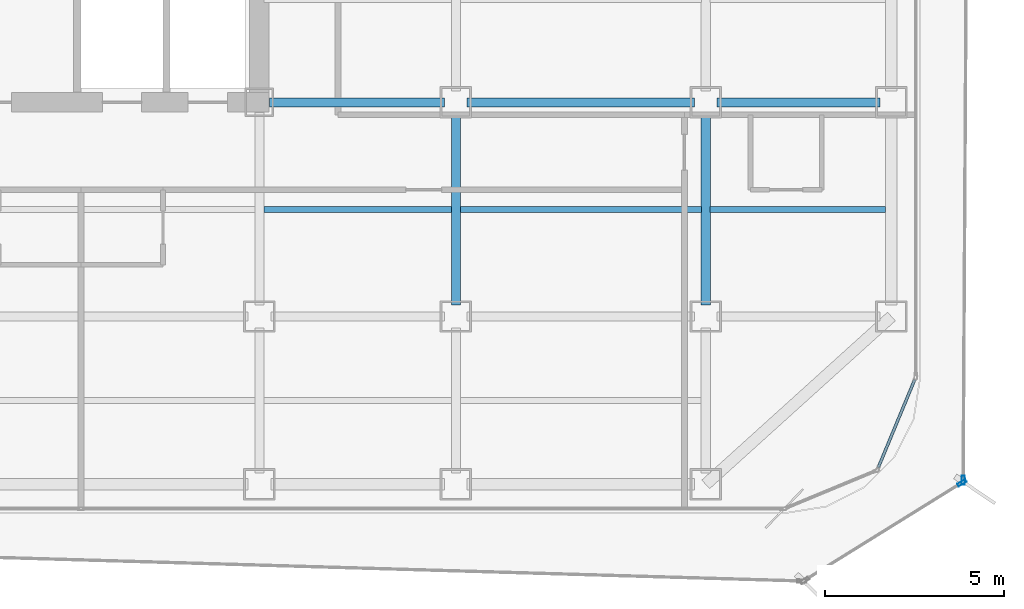
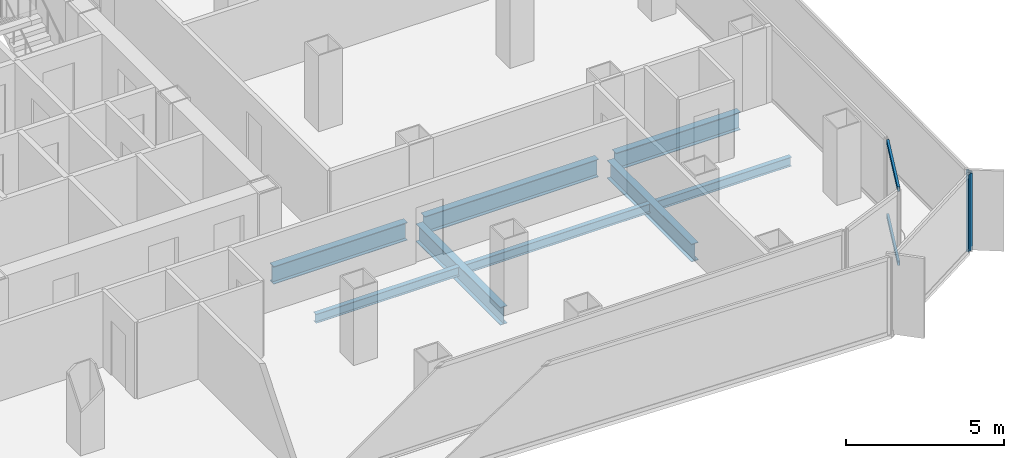
# One storey, part 7 of 21: 8 beams, 4 members, 3 elements without a shape of their own.
"""IFC4 building model written with IfcOpenShell, lengths in metres."""

from ifc_helpers import new_model, si_unit, direction, frame, origin, origin_2d, place, context, subcontext, project, spatial, hollow_rectangle, i_section, extrude, source, transform, mapped, material, layer, layer_set, material_profile, profile_set, type_object, element, aggregate, save


model = new_model("IFC4")

# Units and contexts
model_context = context("Model", 3, precision=1e-05, world=origin(), true_north=direction((0.0, 1.0)))
body_context = subcontext(model_context, "Body", "Model", "MODEL_VIEW")
ifc_project = project(units=[si_unit("LENGTHUNIT", "METRE"), si_unit("AREAUNIT", "SQUARE_METRE"), si_unit("VOLUMEUNIT", "CUBIC_METRE"), si_unit("PLANEANGLEUNIT", "RADIAN"), si_unit("MASSUNIT", "GRAM", prefix="KILO")], contexts=[model_context])

# Site, building, storey
site_placement = place(None, origin())
site = spatial("IfcSite", under=ifc_project, at=site_placement, CompositionType="ELEMENT")
building_placement = place(site_placement, origin())
building = spatial("IfcBuilding", under=site, at=building_placement, Name="Kolveth Station Tower", CompositionType="ELEMENT")
storey_placement = place(building_placement, frame((0.0, 0.0, 131.10009765625)))
storey = spatial("IfcBuildingStorey", under=building, at=storey_placement, Name="L36", CompositionType="ELEMENT", Elevation=131.10009765625)

# Beams
ifc_material_1 = material(Name="Steel S355", Category="steel")
ifc_material_profile_1 = material_profile(ifc_material_1, i_section(OverallWidth=0.25390625, OverallDepth=0.68798828125, WebThickness=0.01318359375, FlangeThickness=0.02099609375, at=origin_2d()), Name="W690x152")
ifc_profile_set_1 = profile_set([ifc_material_profile_1], Name="Steel S355")
beam_type_1 = type_object("IfcBeamType", Name="Beam_B4", PredefinedType="BEAM", material=ifc_profile_set_1)
shared_shape_1 = source(origin(), body_context, "Body", "SweptSolid", [
    extrude(i_section(OverallWidth=0.25390625, OverallDepth=0.68798828125, WebThickness=0.01318359375, FlangeThickness=0.02099609375, at=origin_2d()), origin(), (0.0, 0.0, 1.0), 4.559814453125),
])
beam_1_placement = place(storey_placement, frame((41.320068359375, 11.5, -0.593994140625), z_axis=(1.0, 0.0, 0.0), x_axis=(0.0, 1.0, 0.0)))
element("IfcBeam", 1, at=beam_1_placement, inside=storey, type_object=beam_type_1, Name="L36 Primary Girder BM-L36-GY115-7", PredefinedType="BEAM", context=body_context, shape_type="MappedRepresentation", body=[
    mapped(shared_shape_1, transform((0.0, 0.0, 0.0), x_axis=(1.0, 0.0, 0.0), y_axis=(0.0, 1.0, 0.0), z_axis=(0.0, 0.0, 1.0), scale=1.0)),
])
shared_shape_2 = source(origin(), body_context, "Body", "SweptSolid", [
    extrude(i_section(OverallWidth=0.25390625, OverallDepth=0.68798828125, WebThickness=0.01318359375, FlangeThickness=0.02099609375, at=origin_2d()), origin(), (0.0, 0.0, 1.0), 6.35986328125),
])
beam_2_placement = place(storey_placement, frame((34.320068359375, 11.5, -0.593994140625), z_axis=(1.0, 0.0, 0.0), x_axis=(0.0, 1.0, 0.0)))
element("IfcBeam", 2, at=beam_2_placement, inside=storey, type_object=beam_type_1, Name="L36 Primary Girder BM-L36-GY115-6", PredefinedType="BEAM", context=body_context, shape_type="MappedRepresentation", body=[
    mapped(shared_shape_2, transform((0.0, 0.0, 0.0), x_axis=(1.0, 0.0, 0.0), y_axis=(0.0, 1.0, 0.0), z_axis=(0.0, 0.0, 1.0), scale=1.0)),
])
shared_shape_3 = source(origin(), body_context, "Body", "SweptSolid", [
    extrude(i_section(OverallWidth=0.25390625, OverallDepth=0.68798828125, WebThickness=0.01318359375, FlangeThickness=0.02099609375, at=origin_2d()), origin(), (0.0, 0.0, 1.0), 4.89990234375),
])
beam_3_placement = place(storey_placement, frame((28.780029296875, 11.5, -0.593994140625), z_axis=(1.0, 0.0, 0.0), x_axis=(0.0, 1.0, 0.0)))
element("IfcBeam", 3, at=beam_3_placement, inside=storey, type_object=beam_type_1, Name="L36 Primary Girder BM-L36-GY115-5", PredefinedType="BEAM", context=body_context, shape_type="MappedRepresentation", body=[
    mapped(shared_shape_3, transform((0.0, 0.0, 0.0), x_axis=(1.0, 0.0, 0.0), y_axis=(0.0, 1.0, 0.0), z_axis=(0.0, 0.0, 1.0), scale=1.0)),
])
shared_shape_4 = source(origin(), body_context, "Body", "SweptSolid", [
    extrude(i_section(OverallWidth=0.25390625, OverallDepth=0.68798828125, WebThickness=0.01318359375, FlangeThickness=0.02099609375, at=origin_2d()), origin(), (0.0, 0.0, 1.0), 5.35986328125),
])
for number, where, z_axis, x_axis, name in (
    (4, (34.0, 5.820068359375, -0.593994140625), (0.0, 1.0, 0.0), (-1.0, 0.0, 0.0), "L36 Primary Girder BM-L36-GX340-2"),
    (5, (41.0, 5.820068359375, -0.593994140625), (0.0, 1.0, 0.0), (-1.0, 0.0, 0.0), "L36 Primary Girder BM-L36-GX410-2"),
):
    element("IfcBeam", number, at=place(storey_placement, frame(where, z_axis=z_axis, x_axis=x_axis)), inside=storey, type_object=beam_type_1, Name=name, PredefinedType="BEAM", context=body_context, shape_type="MappedRepresentation", body=[
        mapped(shared_shape_4, transform((0.0, 0.0, 0.0), x_axis=(1.0, 0.0, 0.0), y_axis=(0.0, 1.0, 0.0), z_axis=(0.0, 0.0, 1.0), scale=1.0)),
    ])
ifc_material_profile_2 = material_profile(ifc_material_1, i_section(OverallWidth=0.1708984375, OverallDepth=0.35205078125, WebThickness=0.0068359375, FlangeThickness=0.009765625, at=origin_2d()), Name="W360x44")
ifc_profile_set_2 = profile_set([ifc_material_profile_2], Name="Steel S355")
beam_type_2 = type_object("IfcBeamType", Name="Beam_J2", PredefinedType="JOIST", material=ifc_profile_set_2)
shared_shape_5 = source(origin(), body_context, "Body", "SweptSolid", [
    extrude(i_section(OverallWidth=0.1708984375, OverallDepth=0.35205078125, WebThickness=0.0068359375, FlangeThickness=0.009765625, at=origin_2d()), origin(), (0.0, 0.0, 1.0), 4.9150390625),
])
beam_4_placement = place(storey_placement, frame((41.125, 8.5, -0.426025390625), z_axis=(1.0, 0.0, 0.0), x_axis=(0.0, 1.0, 0.0)))
element("IfcBeam", 6, at=beam_4_placement, inside=storey, type_object=beam_type_2, Name="L36 Secondary Joist JST-L36-7-2", PredefinedType="JOIST", context=body_context, shape_type="MappedRepresentation", body=[
    mapped(shared_shape_5, transform((0.0, 0.0, 0.0), x_axis=(1.0, 0.0, 0.0), y_axis=(0.0, 1.0, 0.0), z_axis=(0.0, 0.0, 1.0), scale=1.0)),
])
shared_shape_6 = source(origin(), body_context, "Body", "SweptSolid", [
    extrude(i_section(OverallWidth=0.1708984375, OverallDepth=0.35205078125, WebThickness=0.0068359375, FlangeThickness=0.009765625, at=origin_2d()), origin(), (0.0, 0.0, 1.0), 6.75),
])
beam_5_placement = place(storey_placement, frame((34.125, 8.5, -0.426025390625), z_axis=(1.0, 0.0, 0.0), x_axis=(0.0, 1.0, 0.0)))
element("IfcBeam", 7, at=beam_5_placement, inside=storey, type_object=beam_type_2, Name="L36 Secondary Joist JST-L36-6-2", PredefinedType="JOIST", context=body_context, shape_type="MappedRepresentation", body=[
    mapped(shared_shape_6, transform((0.0, 0.0, 0.0), x_axis=(1.0, 0.0, 0.0), y_axis=(0.0, 1.0, 0.0), z_axis=(0.0, 0.0, 1.0), scale=1.0)),
])
shared_shape_7 = source(origin(), body_context, "Body", "SweptSolid", [
    extrude(i_section(OverallWidth=0.1708984375, OverallDepth=0.35205078125, WebThickness=0.0068359375, FlangeThickness=0.009765625, at=origin_2d()), origin(), (0.0, 0.0, 1.0), 5.25),
])
beam_6_placement = place(storey_placement, frame((28.625, 8.5, -0.426025390625), z_axis=(1.0, 0.0, 0.0), x_axis=(0.0, 1.0, 0.0)))
element("IfcBeam", 8, at=beam_6_placement, inside=storey, type_object=beam_type_2, Name="L36 Secondary Joist JST-L36-5-2", PredefinedType="JOIST", context=body_context, shape_type="MappedRepresentation", body=[
    mapped(shared_shape_7, transform((0.0, 0.0, 0.0), x_axis=(1.0, 0.0, 0.0), y_axis=(0.0, 1.0, 0.0), z_axis=(0.0, 0.0, 1.0), scale=1.0)),
])

# Curtain wall, members
ifc_material_2 = material(Name="Aluminium 6063-T6 and low-E dark glass", Category="aluminium")
ifc_layer_1 = layer(ifc_material_2, 0.18994140625)
ifc_layer_set_1 = layer_set([ifc_layer_1], Name="Aluminium 6063-T6 and low-E dark glass")
curtain_wall_type_1 = type_object("IfcCurtainWallType", Name="CurtainWall_CW-Z2", PredefinedType="NOTDEFINED", material=ifc_layer_set_1)
curtain_wall_1_placement = place(storey_placement, origin())
curtain_wall_1 = element("IfcCurtainWall", 9, at=curtain_wall_1_placement, inside=storey, type_object=curtain_wall_type_1, Name="L36 Inner Thermal Curtain Wall 2", PredefinedType="NOTDEFINED")
ifc_material_3 = material(Name="Black anodized aluminium 6063-T6", Category="aluminium")
ifc_material_profile_3 = material_profile(ifc_material_3, hollow_rectangle(XDim=0.080078125, YDim=0.169921875, WallThickness=0.0048828125, at=origin_2d()), Name="ALU-80x170x5")
ifc_profile_set_3 = profile_set([ifc_material_profile_3], Name="Black anodized aluminium 6063-T6")
member_type_1 = type_object("IfcMemberType", Name="Transom_TR2", PredefinedType="USERDEFINED", material=ifc_profile_set_3)
shared_shape_8 = source(origin(), body_context, "Body", "SweptSolid", [
    extrude(hollow_rectangle(XDim=0.080078125, YDim=0.169921875, WallThickness=0.0048828125, at=origin_2d()), origin(), (0.0, 0.0, 1.0), 2.656494140625),
])
member_1_placement = place(storey_placement, frame((45.832763671875, 1.271728515625, 0.039794921875), z_axis=(0.382676455475, 0.923882422403, 0.0), x_axis=(-0.923882422403, 0.382676455475, 0.0)))
member_1 = element("IfcMember", 10, at=member_1_placement, type_object=member_type_1, Name="CW-Z2 transom 1.1", ObjectType="TRANSOM", PredefinedType="USERDEFINED", context=body_context, shape_type="MappedRepresentation", body=[
    mapped(shared_shape_8, transform((0.0, 0.0, 0.0), x_axis=(1.0, 0.0, 0.0), y_axis=(0.0, 1.0, 0.0), z_axis=(0.0, 0.0, 1.0), scale=1.0)),
])
member_2_placement = place(storey_placement, frame((45.832763671875, 1.271728515625, 2.909912109375), z_axis=(0.382676455475, 0.923882422403, 0.0), x_axis=(-0.923882422403, 0.382676455475, 0.0)))
member_2 = element("IfcMember", 11, at=member_2_placement, type_object=member_type_1, Name="CW-Z2 transom 1.2", ObjectType="TRANSOM", PredefinedType="USERDEFINED", context=body_context, shape_type="MappedRepresentation", body=[
    mapped(shared_shape_8, transform((0.0, 0.0, 0.0), x_axis=(1.0, 0.0, 0.0), y_axis=(0.0, 1.0, 0.0), z_axis=(0.0, 0.0, 1.0), scale=1.0)),
])
aggregate(curtain_wall_1, [member_1, member_2])

# Curtain wall, member
ifc_material_4 = material(Name="Black anodized aluminium 6063-T6 and dark solar glass", Category="aluminium")
ifc_layer_2 = layer(ifc_material_4, 0.159912109375)
ifc_layer_set_2 = layer_set([ifc_layer_2], Name="Black anodized aluminium 6063-T6 and dark solar glass")
curtain_wall_type_2 = type_object("IfcCurtainWallType", Name="OUTER SKIN CW-OS", PredefinedType="NOTDEFINED", material=ifc_layer_set_2)
curtain_wall_2_placement = place(storey_placement, origin())
curtain_wall_2 = element("IfcCurtainWall", 12, at=curtain_wall_2_placement, inside=storey, type_object=curtain_wall_type_2, Name="L36 Outer Ventilated Skin Curtain Wall 1", PredefinedType="NOTDEFINED")
ifc_material_profile_4 = material_profile(ifc_material_3, hollow_rectangle(XDim=0.090087890625, YDim=0.260009765625, WallThickness=0.0048828125, at=origin_2d()), Name="ALU-90x260x5")
ifc_profile_set_4 = profile_set([ifc_material_profile_4], Name="Black anodized aluminium 6063-T6")
member_type_2 = type_object("IfcMemberType", Name="FIN MULLION ML-OS", PredefinedType="MULLION", material=ifc_profile_set_4)
shared_shape_9 = source(origin(), body_context, "Body", "SweptSolid", [
    extrude(hollow_rectangle(XDim=0.090087890625, YDim=0.260009765625, WallThickness=0.0048828125, at=origin_2d()), origin(), (0.0, 0.0, 1.0), 2.989990234375),
])
member_3_placement = place(storey_placement, frame((48.175537109375, 0.84375, 0.0), z_axis=(0.0, 0.0, 1.0), x_axis=(-0.527379386637, 0.849629909166, 0.0)))
member_3 = element("IfcMember", 13, at=member_3_placement, type_object=member_type_2, Name="CW-OS mullion 2", PredefinedType="MULLION", context=body_context, shape_type="MappedRepresentation", body=[
    mapped(shared_shape_9, transform((0.0, 0.0, 0.0), x_axis=(1.0, 0.0, 0.0), y_axis=(0.0, 1.0, 0.0), z_axis=(0.0, 0.0, 1.0), scale=1.0)),
])
aggregate(curtain_wall_2, [member_3])

curtain_wall_3_placement = place(storey_placement, origin())
curtain_wall_3 = element("IfcCurtainWall", 14, at=curtain_wall_3_placement, inside=storey, type_object=curtain_wall_type_2, Name="L36 Outer Ventilated Skin Curtain Wall 2", PredefinedType="NOTDEFINED")
member_4_placement = place(storey_placement, frame((48.2138671875, 0.91259765625, 0.0), z_axis=(0.0, 0.0, 1.0), x_axis=(-0.999982390992, 0.005934450811, 0.0)))
member_4 = element("IfcMember", 15, at=member_4_placement, type_object=member_type_2, Name="CW-OS mullion 1", PredefinedType="MULLION", context=body_context, shape_type="MappedRepresentation", body=[
    mapped(shared_shape_9, transform((0.0, 0.0, 0.0), x_axis=(1.0, 0.0, 0.0), y_axis=(0.0, 1.0, 0.0), z_axis=(0.0, 0.0, 1.0), scale=1.0)),
])
aggregate(curtain_wall_3, [member_4])

save(model, "model.ifc")
